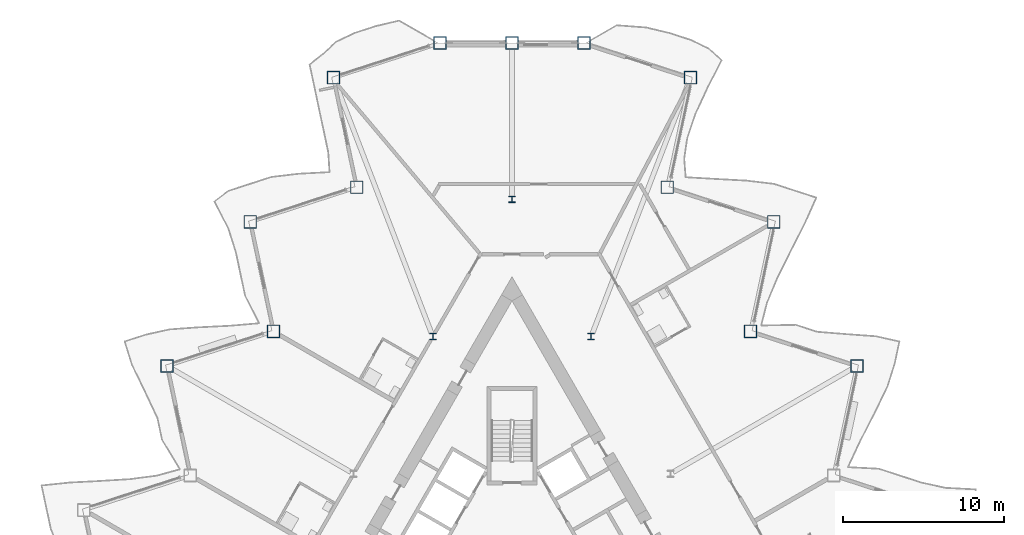
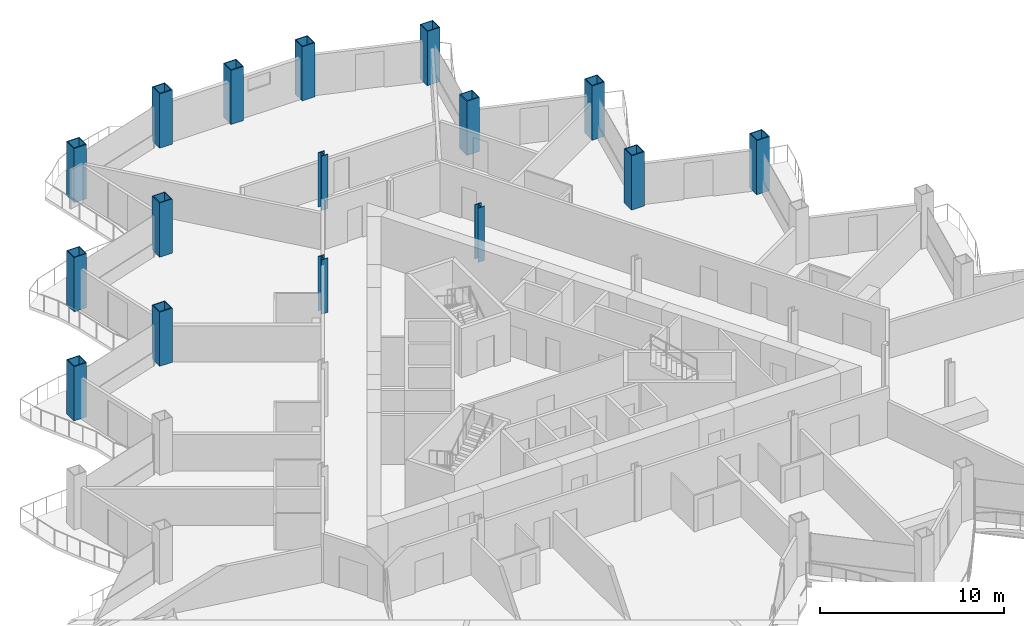
# One storey, part 2 of 23: 16 columns.
"""IFC4 building model written with IfcOpenShell, lengths in metres."""

from ifc_helpers import new_model, si_unit, direction, frame, origin, origin_2d, place, context, subcontext, project, spatial, hollow_rectangle, i_section, extrude, material, material_profile, profile_set, type_object, element, save


model = new_model("IFC4")

# Units and contexts
model_context = context("Model", 3, precision=1e-05, world=origin(), true_north=direction((0.0, 1.0)))
body_context = subcontext(model_context, "Body", "Model", "MODEL_VIEW")
ifc_project = project(units=[si_unit("LENGTHUNIT", "METRE"), si_unit("AREAUNIT", "SQUARE_METRE"), si_unit("VOLUMEUNIT", "CUBIC_METRE"), si_unit("PLANEANGLEUNIT", "RADIAN"), si_unit("MASSUNIT", "GRAM", prefix="KILO")], contexts=[model_context])

# Site, building, storey
site_placement = place(None, origin())
site = spatial("IfcSite", under=ifc_project, at=site_placement, CompositionType="ELEMENT")
building_placement = place(site_placement, origin())
building = spatial("IfcBuilding", under=site, at=building_placement, Name="Cormorant Prow Tower", CompositionType="ELEMENT")
storey_placement = place(building_placement, frame((0.0, 0.0, 212.39990234375)))
storey = spatial("IfcBuildingStorey", under=building, at=storey_placement, Name="L47", CompositionType="ELEMENT", Elevation=212.39990234375)

# Columns
ifc_material_1 = material(Name="Structural steel ASTM A572 Gr 50", Category="steel")
ifc_material_profile_1 = material_profile(ifc_material_1, hollow_rectangle(XDim=0.800048828125, YDim=0.800048828125, WallThickness=0.050048828125, at=origin_2d()), Name="Box 800x800x50")
ifc_profile_set_1 = profile_set([ifc_material_profile_1], Name="Structural steel ASTM A572 Gr 50")
column_type_1 = type_object("IfcColumnType", Name="Perimeter box column 800x800x50", PredefinedType="COLUMN", material=ifc_profile_set_1)
for number, where, z_axis, x_axis, name in (
    (1, (21.409423828125, 12.36083984375, 0.0), (0.0, 0.0, 1.0), (1.0, 0.0, 0.0), "Perimeter column C4 at ENE05 L47"),
    (2, (14.7998046875, 14.50830078125, 0.0), (0.0, 0.0, 1.0), (1.0, 0.0, 0.0), "Perimeter column C4 at ENE06 L47"),
    (3, (16.244873046875, 21.306396484375, 0.0), (0.0, 0.0, 1.0), (1.0, 0.0, 0.0), "Perimeter column C4 at ENE07 L47"),
    (4, (9.63525390625, 23.453857421875, 0.0), (0.0, 0.0, 1.0), (1.0, 0.0, 0.0), "Perimeter column C4 at ENE08 L47"),
    (5, (11.080078125, 30.251953125, 0.0), (0.0, 0.0, 1.0), (1.0, 0.0, 0.0), "Perimeter column C4 at ENE09 L47"),
    (6, (4.470458984375, 32.3994140625, 0.0), (0.0, 0.0, 1.0), (1.0, 0.0, 0.0), "Perimeter column C4 at N00 L47"),
    (7, (0.0, 32.3994140625, 0.0), (0.0, 0.0, 1.0), (1.0, 0.0, 0.0), "Perimeter column C4 at N01 L47"),
    (8, (-4.470458984375, 32.3994140625, 0.0), (0.0, 0.0, 1.0), (1.0, 0.0, 0.0), "Perimeter column C4 at WNW00 L47"),
    (9, (-11.080078125, 30.251953125, 0.0), (0.0, 0.0, 1.0), (1.0, 0.0, 0.0), "Perimeter column C4 at WNW01 L47"),
    (10, (-9.63525390625, 23.453857421875, 0.0), (0.0, 0.0, 1.0), (1.0, 0.0, 0.0), "Perimeter column C4 at WNW02 L47"),
    (11, (-16.244873046875, 21.306396484375, 0.0), (0.0, 0.0, 1.0), (1.0, 0.0, 0.0), "Perimeter column C4 at WNW03 L47"),
    (12, (-14.7998046875, 14.50830078125, 0.0), (0.0, 0.0, 1.0), (1.0, 0.0, 0.0), "Perimeter column C4 at WNW04 L47"),
    (13, (-21.409423828125, 12.36083984375, 0.0), (0.0, 0.0, 1.0), (1.0, 0.0, 0.0), "Perimeter column C4 at WNW05 L47"),
):
    element("IfcColumn", number, at=place(storey_placement, frame(where, z_axis=z_axis, x_axis=x_axis)), inside=storey, type_object=column_type_1, Name=name, PredefinedType="COLUMN", context=body_context, shape_type="SweptSolid", body=[
        extrude(hollow_rectangle(XDim=0.800048828125, YDim=0.800048828125, WallThickness=0.050048828125, at=origin_2d()), origin(), (0.0, 0.0, 1.0), 3.60009765625),
    ])
ifc_material_2 = material(Name="Structural steel ASTM A992 Gr 50", Category="steel")
ifc_material_profile_2 = material_profile(ifc_material_2, i_section(OverallWidth=0.403564453125, OverallDepth=0.407470703125, WebThickness=0.027099609375, FlangeThickness=0.043701171875, at=origin_2d()), Name="W14x233")
ifc_profile_set_2 = profile_set([ifc_material_profile_2], Name="Structural steel ASTM A992 Gr 50")
column_type_2 = type_object("IfcColumnType", Name="Ring column W14x233", PredefinedType="COLUMN", material=ifc_profile_set_2)
for number, where, z_axis, x_axis, name in (
    (14, (0.0, 22.69775390625, 0.0), (0.0, 0.0, 1.0), (1.0, 0.0, 0.0), "Ring column 1 L47"),
    (15, (-4.914306640625, 14.186279296875, 0.0), (0.0, 0.0, 1.0), (1.0, 0.0, 0.0), "Ring column 2 L47"),
    (16, (4.914306640625, 14.186279296875, 0.0), (0.0, 0.0, 1.0), (1.0, 0.0, 0.0), "Ring column 12 L47"),
):
    element("IfcColumn", number, at=place(storey_placement, frame(where, z_axis=z_axis, x_axis=x_axis)), inside=storey, type_object=column_type_2, Name=name, PredefinedType="COLUMN", context=body_context, shape_type="SweptSolid", body=[
        extrude(i_section(OverallWidth=0.403564453125, OverallDepth=0.407470703125, WebThickness=0.027099609375, FlangeThickness=0.043701171875, at=origin_2d()), origin(), (0.0, 0.0, 1.0), 3.60009765625),
    ])

save(model, "model.ifc")
